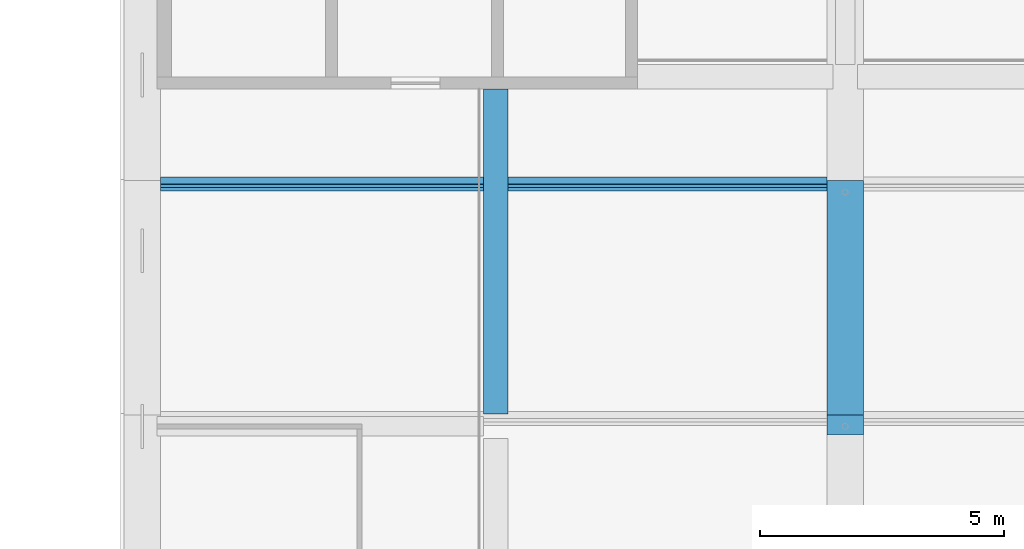
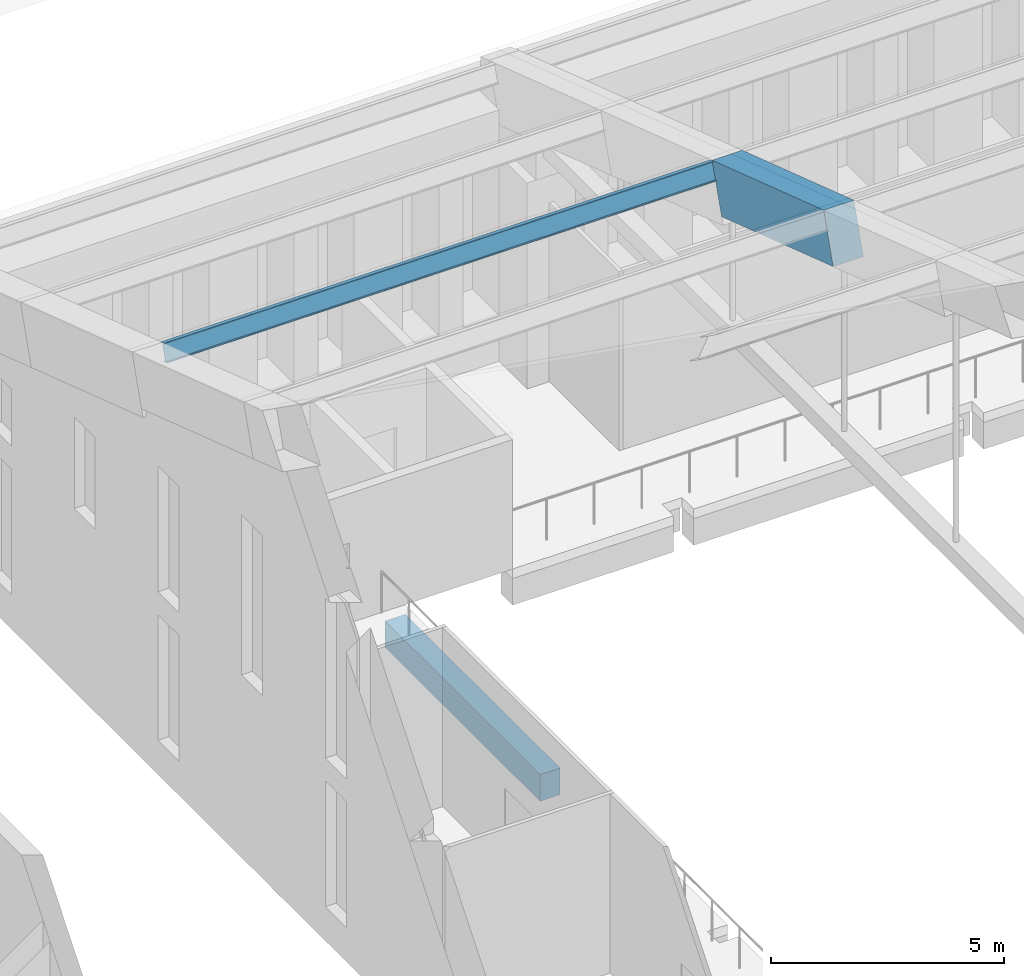
# One storey, part 42 of 149: 2 beams, 1 member.
"""IFC4 building model written with IfcOpenShell, lengths in metres."""

import ifcopenshell
import ifcopenshell.guid

model = None  # the IFC model being written
_history = None  # IfcOwnerHistory: only IFC2X3 demands one
_inside = {}  # id of a spatial element -> (the spatial element, [elements in it])
_under = {}  # id of a project, library or spatial element -> (it, [spatial elements below it])
_declared = {}  # id of a project -> (the project, [libraries it declares])
_typed = {}  # id of a type object -> (the type object, [elements of that type])
_made_of = {}  # id of a material, layer set ... -> (it, [elements and type objects made of it])


def new_model(schema):
    """Start an empty IFC model of exactly this schema.

    Asked for "IFC4X3", IfcOpenShell would pick the latest addendum, in which some entities
    have other attributes; the version numbers below select the first issue.
    IFC2X3 requires an IfcOwnerHistory on every rooted entity: one is made here for all.
    """
    global model, _history
    if schema == "IFC4X3":
        model = ifcopenshell.file(schema_version=(4, 3, 0, 0))
    else:
        model = ifcopenshell.file(schema=schema)
    _inside.clear()
    _under.clear()
    _declared.clear()
    _typed.clear()
    _made_of.clear()
    _history = None
    if model.schema == "IFC2X3":
        org = make("IfcOrganization", Name="unknown")
        user = make(
            "IfcPersonAndOrganization",
            ThePerson=make("IfcPerson", FamilyName="unknown"),
            TheOrganization=org,
        )
        app = make(
            "IfcApplication",
            ApplicationDeveloper=org,
            Version="unknown",
            ApplicationFullName="unknown",
            ApplicationIdentifier="unknown",
        )
        _history = make(
            "IfcOwnerHistory",
            OwningUser=user,
            OwningApplication=app,
            ChangeAction="ADDED",
            CreationDate=0,
        )
    return model


def make(cls, **values):
    """One entity of the class cls with the attributes given. An attribute that is None is left unset."""
    return model.create_entity(
        cls, **{name: value for name, value in values.items() if value is not None}
    )


def rooted(cls, **values):
    """An entity with a GlobalId (a new one), such as an element, a storey or a relation."""
    return make(cls, GlobalId=ifcopenshell.guid.new(), OwnerHistory=_history, **values)


def si_unit(unit_type, name, prefix=None):
    """IfcSIUnit, for example si_unit("LENGTHUNIT", "METRE", prefix="MILLI")."""
    return make("IfcSIUnit", UnitType=unit_type, Prefix=prefix, Name=name)


def assignment(units):
    """IfcUnitAssignment: the units of a project."""
    return None if units is None else make("IfcUnitAssignment", Units=units)


def point(xyz):
    """IfcCartesianPoint."""
    return None if xyz is None else make("IfcCartesianPoint", Coordinates=xyz)


def direction(xyz):
    """IfcDirection."""
    return None if xyz is None else make("IfcDirection", DirectionRatios=xyz)


def frame(location, z_axis=None, x_axis=None):
    """IfcAxis2Placement3D, a coordinate frame: its origin and axes. An axis left out is left unset."""
    return make(
        "IfcAxis2Placement3D",
        Location=point(location),
        Axis=direction(z_axis),
        RefDirection=direction(x_axis),
    )


def frame_2d(location, x_axis=None):
    """IfcAxis2Placement2D, a coordinate frame in the plane: its origin and x axis."""
    return make(
        "IfcAxis2Placement2D", Location=point(location), RefDirection=direction(x_axis)
    )


def origin():
    """The frame at (0, 0, 0) with its axes left unset."""
    return frame((0.0, 0.0, 0.0))


def origin_2d():
    """The frame at (0, 0) in the plane with its x axis left unset."""
    return frame_2d((0.0, 0.0))


def place(relative_to, where):
    """IfcLocalPlacement: puts the frame where relative to a parent placement (None: the world)."""
    return make(
        "IfcLocalPlacement", PlacementRelTo=relative_to, RelativePlacement=where
    )


def context(
    kind, dimensions, precision=None, world=None, true_north=None, identifier=None
):
    """IfcGeometricRepresentationContext, for example the 3D "Model" context."""
    return make(
        "IfcGeometricRepresentationContext",
        ContextIdentifier=identifier,
        ContextType=kind,
        CoordinateSpaceDimension=dimensions,
        Precision=precision,
        WorldCoordinateSystem=world,
        TrueNorth=true_north,
    )


def subcontext(parent, identifier, kind, view, scale=None):
    """IfcGeometricRepresentationSubContext, for example "Body" below "Model"."""
    return make(
        "IfcGeometricRepresentationSubContext",
        ContextIdentifier=identifier,
        ContextType=kind,
        ParentContext=parent,
        TargetScale=scale,
        TargetView=view,
    )


def project(units=None, contexts=None):
    """IfcProject with its units and contexts."""
    return rooted(
        "IfcProject",
        Name="project",
        RepresentationContexts=contexts,
        UnitsInContext=assignment(units),
    )


def spatial(cls, under=None, at=None, **own):
    """A site, building, storey or space (cls), placed at a placement, below another one or the project."""
    s = rooted(cls, ObjectPlacement=at, **own)
    if under is not None:
        _under.setdefault(under.id(), (under, []))[1].append(s)
    return s


def profile(cls, at=None, kind="AREA", **sizes):
    """A parametric profile (cls). Its sizes go by their IFC names, for example OverallWidth=200.0."""
    return make(cls, ProfileType=kind, Position=at, **sizes)


def rectangle(**sizes):
    """IfcRectangleProfileDef."""
    return profile("IfcRectangleProfileDef", **sizes)


def i_section(**sizes):
    """IfcIShapeProfileDef."""
    return profile("IfcIShapeProfileDef", **sizes)


def extrude(swept, where, along, depth):
    """IfcExtrudedAreaSolid: the profile swept, set in the frame where, extruded along a direction by depth."""
    return make(
        "IfcExtrudedAreaSolid",
        SweptArea=swept,
        Position=where,
        ExtrudedDirection=direction(along),
        Depth=depth,
    )


def shape(context_of_items, identifier, shape_type, items):
    """IfcShapeRepresentation: the items that make up one representation, for example the "Body"."""
    return make(
        "IfcShapeRepresentation",
        ContextOfItems=context_of_items,
        RepresentationIdentifier=identifier,
        RepresentationType=shape_type,
        Items=items,
    )


def material(Name=None, Category=None):
    """IfcMaterial."""
    return make("IfcMaterial", Name=Name, Category=Category)


def material_profile(
    of_material, cross_section, Name=None, Category=None, Priority=None
):
    """IfcMaterialProfile: a cross section and its material."""
    return make(
        "IfcMaterialProfile",
        Name=Name,
        Material=of_material,
        Profile=cross_section,
        Priority=Priority,
        Category=Category,
    )


def profile_set(profiles, Name=None, composite=None):
    """IfcMaterialProfileSet."""
    return make(
        "IfcMaterialProfileSet",
        Name=Name,
        MaterialProfiles=profiles,
        CompositeProfile=composite,
    )


def made_of(thing, what):
    """Note that an element or type object is made of a material, layer set ...; save() writes the relation."""
    if what is not None:
        _made_of.setdefault(what.id(), (what, []))[1].append(thing)
    return thing


def type_object(cls, material=None, **own):
    """A type object (cls), such as IfcWallType, which elements share."""
    return made_of(rooted(cls, **own), material)


def element(
    cls,
    number,
    at=None,
    inside=None,
    cuts=None,
    type_object=None,
    material=None,
    context=None,
    identifier="Body",
    shape_type=None,
    held_by="IfcProductDefinitionShape",
    body=None,
    shapes=None,
    **own,
):
    """One element of the class cls, such as IfcWall. Its Tag is "e" and its number.

    at: its placement. inside: the storey or other place that contains it. cuts: it is an
    opening in that element (IfcRelVoidsElement). A single representation is given by context,
    identifier, shape_type and body (its items); several are given by shapes. held_by: the class
    of the entity that holds the representations. save() writes the other relations.
    """
    e = rooted(cls, Tag="e%d" % number, ObjectPlacement=at, **own)
    if body is not None:
        shapes = [shape(context, identifier, shape_type, body)]
    if shapes is not None:
        e.Representation = make(held_by, Representations=shapes)
    if inside is not None:
        _inside.setdefault(inside.id(), (inside, []))[1].append(e)
    if cuts is not None:
        rooted(
            "IfcRelVoidsElement", RelatingBuildingElement=cuts, RelatedOpeningElement=e
        )
    if type_object is not None:
        _typed.setdefault(type_object.id(), (type_object, []))[1].append(e)
    return made_of(e, material)


def aggregate(whole, parts):
    """IfcRelAggregates: a whole, such as a stair, and the parts it consists of."""
    return rooted("IfcRelAggregates", RelatingObject=whole, RelatedObjects=parts)


def save(model, path):
    """Write the relations noted so far, then the file.

    IfcRelAggregates (storeys below a building ...), IfcRelContainedInSpatialStructure (elements
    in a storey), IfcRelDefinesByType, IfcRelAssociatesMaterial and IfcRelDeclares: one each for
    every whole, place, type object, material and project.
    """
    for whole, parts in _under.values():
        aggregate(whole, parts)
    for where, things in _inside.values():
        rooted(
            "IfcRelContainedInSpatialStructure",
            RelatedElements=things,
            RelatingStructure=where,
        )
    for kind, things in _typed.values():
        rooted("IfcRelDefinesByType", RelatedObjects=things, RelatingType=kind)
    for what, things in _made_of.values():
        rooted("IfcRelAssociatesMaterial", RelatedObjects=things, RelatingMaterial=what)
    for by, libraries in _declared.values():
        rooted("IfcRelDeclares", RelatingContext=by, RelatedDefinitions=libraries)
    model.write(path)


model = new_model("IFC4")

# Units and contexts
model_context = context("Model", 3, precision=1e-05, world=origin(), true_north=direction((0.0, 1.0)))
body_context = subcontext(model_context, "Body", "Model", "MODEL_VIEW")
ifc_project = project(units=[si_unit("LENGTHUNIT", "METRE"), si_unit("AREAUNIT", "SQUARE_METRE"), si_unit("VOLUMEUNIT", "CUBIC_METRE"), si_unit("PLANEANGLEUNIT", "RADIAN"), si_unit("MASSUNIT", "GRAM", prefix="KILO")], contexts=[model_context])

# Site, building, storey
site_placement = place(None, origin())
site = spatial("IfcSite", under=ifc_project, at=site_placement, CompositionType="ELEMENT")
building_placement = place(site_placement, origin())
building = spatial("IfcBuilding", under=site, at=building_placement, Name="Alderwick Market Hall", CompositionType="ELEMENT")
storey_placement = place(building_placement, frame((0.0, 0.0, 9.60009765625)))
storey = spatial("IfcBuildingStorey", under=building, at=storey_placement, Name="L01", CompositionType="ELEMENT", Elevation=9.60009765625)

# Beams
ifc_material_1 = material(Name="Concrete 5000 psi (f'c 35 MPa)", Category="concrete")
ifc_material_profile_1 = material_profile(ifc_material_1, rectangle(XDim=0.5, YDim=0.699951171875, at=origin_2d()), Name="RC 500x700")
ifc_profile_set_1 = profile_set([ifc_material_profile_1], Name="Concrete 5000 psi (f'c 35 MPa)")
beam_type_1 = type_object("IfcBeamType", Name="H Edge beam 500x700", PredefinedType="BEAM", material=ifc_profile_set_1)
beam_1_placement = place(storey_placement, frame((57.639892578125, 93.85009765625, -0.60009765625), z_axis=(0.0, 1.0, 0.0), x_axis=(-1.0, 0.0, 0.0)))
element("IfcBeam", 1, at=beam_1_placement, inside=storey, type_object=beam_type_1, Name="Gallery edge beam W", PredefinedType="BEAM", context=body_context, shape_type="SweptSolid", body=[
    extrude(rectangle(XDim=0.5, YDim=0.699951171875, at=origin_2d()), origin(), (0.0, 0.0, 1.0), 6.659912109375),
])
ifc_material_profile_2 = material_profile(ifc_material_1, rectangle(XDim=0.75, YDim=1.300048828125, at=origin_2d()), Name="RC 750x1300")
ifc_profile_set_2 = profile_set([ifc_material_profile_2], Name="Concrete 5000 psi (f'c 35 MPa)")
beam_type_2 = type_object("IfcBeamType", Name="R Arch Rib Haunch 750x1300", PredefinedType="BEAM", material=ifc_profile_set_2)
beam_2_placement = place(storey_placement, frame((64.800048828125, 93.631591796875, 11.494873046875), z_axis=(0.0, 0.948678472761, -0.316242241517), x_axis=(-1.0, 0.0, 0.0)))
element("IfcBeam", 2, at=beam_2_placement, inside=storey, type_object=beam_type_2, Name="Arch rib 2 chord 10", PredefinedType="BEAM", context=body_context, shape_type="SweptSolid", body=[
    extrude(rectangle(XDim=0.75, YDim=1.300048828125, at=origin_2d()), origin(), (0.0, 0.0, 1.0), 5.059814453125),
])

# Member
ifc_material_2 = material(Name="Steel ASTM A992 Grade 50", Category="steel")
ifc_material_profile_3 = material_profile(ifc_material_2, i_section(OverallWidth=0.153076171875, OverallDepth=0.455078125, WebThickness=0.008056640625, FlangeThickness=0.01318359375, at=origin_2d()), Name="W18x40")
ifc_profile_set_3 = profile_set([ifc_material_profile_3], Name="Steel ASTM A992 Grade 50")
member_type = type_object("IfcMemberType", Name="R Purlin W18x40", PredefinedType="PURLIN", material=ifc_profile_set_3)
member_placement = place(storey_placement, frame((50.77490234375, 98.563232421875, 10.289794921875), z_axis=(1.0, 0.0, 0.0), x_axis=(0.0, 0.948683297073, -0.316227768949)))
element("IfcMember", 3, at=member_placement, inside=storey, type_object=member_type, Name="Roof purlin 11.1", PredefinedType="PURLIN", context=body_context, shape_type="SweptSolid", body=[
    extrude(i_section(OverallWidth=0.153076171875, OverallDepth=0.455078125, WebThickness=0.008056640625, FlangeThickness=0.01318359375, at=origin_2d()), origin(), (0.0, 0.0, 1.0), 13.650146484375),
])

save(model, "model.ifc")
